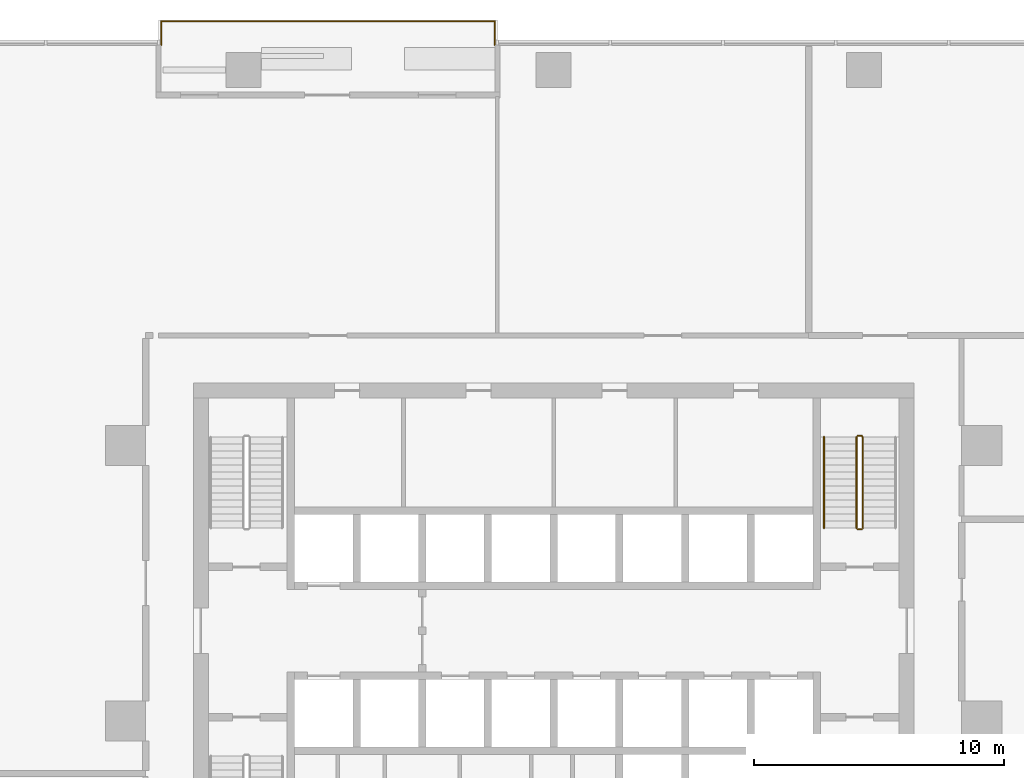
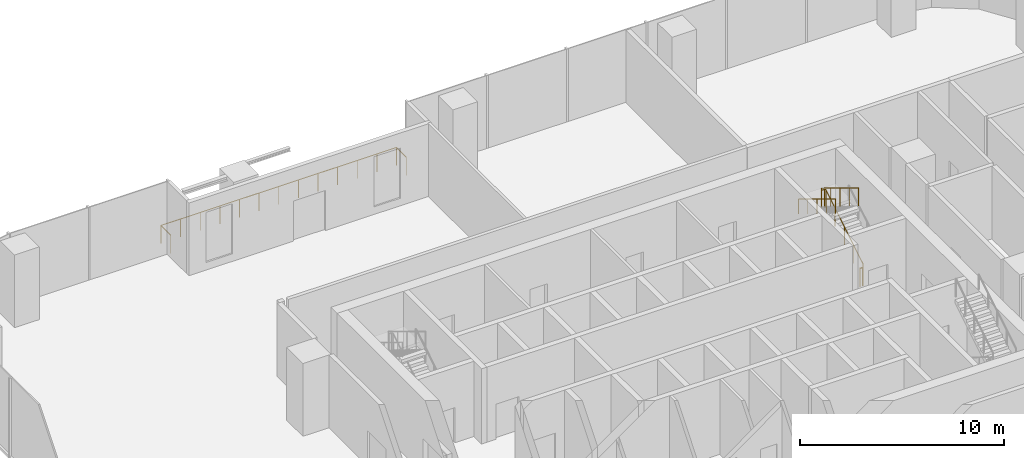
# One storey, part 14 of 15: 5 railings.
"""IFC4 building model written with IfcOpenShell, lengths in metres."""

from ifc_helpers import new_model, si_unit, direction, frame, origin, origin_2d, place, context, subcontext, project, spatial, circle, extrude, material, type_object, element, save


model = new_model("IFC4")

# Units and contexts
model_context = context("Model", 3, precision=1e-05, world=origin(), true_north=direction((0.0, 1.0)))
body_context = subcontext(model_context, "Body", "Model", "MODEL_VIEW")
ifc_project = project(units=[si_unit("LENGTHUNIT", "METRE"), si_unit("AREAUNIT", "SQUARE_METRE"), si_unit("VOLUMEUNIT", "CUBIC_METRE"), si_unit("PLANEANGLEUNIT", "RADIAN"), si_unit("MASSUNIT", "GRAM", prefix="KILO")], contexts=[model_context])

# Site, building, storey
site_placement = place(None, origin())
site = spatial("IfcSite", under=ifc_project, at=site_placement, CompositionType="ELEMENT")
building_placement = place(site_placement, origin())
building = spatial("IfcBuilding", under=site, at=building_placement, Name="Mopane Tessera Tower", CompositionType="ELEMENT")
storey_placement = place(building_placement, frame((0.0, 0.0, 69.39990234375)))
storey = spatial("IfcBuildingStorey", under=building, at=storey_placement, Name="L13", CompositionType="ELEMENT", Elevation=69.39990234375)

# Railings
ifc_material_1 = material(Name="Powder-coated steel balustrade", Category="steel")
railing_type_1 = type_object("IfcRailingType", Name="Escape stair guard 1100 mm", PredefinedType="GUARDRAIL", material=ifc_material_1)
railing_1_placement = place(storey_placement, frame((12.35009765625, 7.699951171875, 0.171630859375)))
element("IfcRailing", 1, at=railing_1_placement, inside=storey, type_object=railing_type_1, Name="L13 ST4 stair guard 1", PredefinedType="GUARDRAIL", context=body_context, shape_type="SweptSolid", body=[
    extrude(circle(Radius=0.02392578125, at=origin_2d()), frame((0.0, 0.0, 1.076171875), z_axis=(0.0, 0.852865859571, 0.52213008492), x_axis=(-1.0, 0.0, 0.0)), (0.0, 0.0, 1.0), 4.26806640625),
    extrude(circle(Radius=0.02392578125, at=origin_2d()), frame((0.0, 3.64013671875, 3.3046875), z_axis=(-0.708833529934, 0.705375805398, 0.0), x_axis=(-0.705375805398, -0.708833529934, 0.0)), (0.0, 0.0, 1.0), 0.070556640625),
    extrude(circle(Radius=0.02392578125, at=origin_2d()), frame((-0.050048828125, 3.68994140625, 3.3046875), z_axis=(-1.0, 0.0, 0.0), x_axis=(0.0, -1.0, 0.0)), (0.0, 0.0, 1.0), 0.150146484375),
    extrude(circle(Radius=0.02099609375, at=origin_2d()), origin(), (0.0, 0.0, 1.0), 1.052001953125),
    extrude(circle(Radius=0.02099609375, at=origin_2d()), frame((0.0, 0.91015625, 0.55712890625)), (0.0, 0.0, 1.0), 1.052001953125),
    extrude(circle(Radius=0.02099609375, at=origin_2d()), frame((0.0, 1.820068359375, 1.1142578125)), (0.0, 0.0, 1.0), 1.052001953125),
    extrude(circle(Radius=0.02099609375, at=origin_2d()), frame((0.0, 2.72998046875, 1.67138671875)), (0.0, 0.0, 1.0), 1.052001953125),
    extrude(circle(Radius=0.02099609375, at=origin_2d()), frame((0.0, 3.64013671875, 2.228515625)), (0.0, 0.0, 1.0), 1.052001953125),
    extrude(circle(Radius=0.02099609375, at=origin_2d()), frame((-0.050048828125, 3.68994140625, 2.228515625)), (0.0, 0.0, 1.0), 1.052001953125),
    extrude(circle(Radius=0.02099609375, at=origin_2d()), frame((-0.2001953125, 3.68994140625, 2.228515625)), (0.0, 0.0, 1.0), 1.052001953125),
])
railing_2_placement = place(storey_placement, frame((12.10009765625, 11.340087890625, 2.571533203125)))
element("IfcRailing", 2, at=railing_2_placement, inside=storey, type_object=railing_type_1, Name="L13 ST4 stair guard 2", PredefinedType="GUARDRAIL", context=body_context, shape_type="SweptSolid", body=[
    extrude(circle(Radius=0.02392578125, at=origin_2d()), frame((0.0, 0.0, 1.076171875), z_axis=(0.0, -0.852865859571, 0.52213008492), x_axis=(1.0, 0.0, 0.0)), (0.0, 0.0, 1.0), 4.26806640625),
    extrude(circle(Radius=0.02099609375, at=origin_2d()), origin(), (0.0, 0.0, 1.0), 1.052001953125),
    extrude(circle(Radius=0.02099609375, at=origin_2d()), frame((0.0, -0.91015625, 0.55712890625)), (0.0, 0.0, 1.0), 1.052001953125),
    extrude(circle(Radius=0.02099609375, at=origin_2d()), frame((0.0, -1.820068359375, 1.1142578125)), (0.0, 0.0, 1.0), 1.052001953125),
    extrude(circle(Radius=0.02099609375, at=origin_2d()), frame((0.0, -2.72998046875, 1.67138671875)), (0.0, 0.0, 1.0), 1.052001953125),
    extrude(circle(Radius=0.02099609375, at=origin_2d()), frame((0.0, -3.64013671875, 2.228515625)), (0.0, 0.0, 1.0), 1.052001953125),
])
railing_3_placement = place(storey_placement, frame((12.300048828125, 7.64990234375, 0.0)))
element("IfcRailing", 3, at=railing_3_placement, inside=storey, type_object=railing_type_1, Name="L13 ST4 stair guard 3", PredefinedType="GUARDRAIL", context=body_context, shape_type="SweptSolid", body=[
    extrude(circle(Radius=0.02392578125, at=origin_2d()), frame((0.0, 0.0, 1.076171875), z_axis=(-1.0, 0.0, 0.0), x_axis=(0.0, -1.0, 0.0)), (0.0, 0.0, 1.0), 0.150146484375),
    extrude(circle(Radius=0.02099609375, at=origin_2d()), origin(), (0.0, 0.0, 1.0), 1.052001953125),
    extrude(circle(Radius=0.02099609375, at=origin_2d()), frame((-0.150146484375, 0.0, 0.0)), (0.0, 0.0, 1.0), 1.052001953125),
])
ifc_material_2 = material(Name="Powder-coated steel balustrade", Category="steel")
railing_type_2 = type_object("IfcRailingType", Name="Escape stair handrail 900 mm", PredefinedType="HANDRAIL", material=ifc_material_2)
railing_4_placement = place(storey_placement, frame((10.800048828125, 11.340087890625, 2.571533203125)))
element("IfcRailing", 4, at=railing_4_placement, inside=storey, type_object=railing_type_2, Name="L13 ST4 stair handrail 2", PredefinedType="HANDRAIL", context=body_context, shape_type="SweptSolid", body=[
    extrude(circle(Radius=0.02392578125, at=origin_2d()), frame((0.0, 0.0, 0.8759765625), z_axis=(0.0, -0.852865859571, 0.52213008492), x_axis=(1.0, 0.0, 0.0)), (0.0, 0.0, 1.0), 4.26806640625),
    extrude(circle(Radius=0.02099609375, at=origin_2d()), origin(), (0.0, 0.0, 1.0), 0.851806640625),
    extrude(circle(Radius=0.02099609375, at=origin_2d()), frame((0.0, -0.91015625, 0.55712890625)), (0.0, 0.0, 1.0), 0.851806640625),
    extrude(circle(Radius=0.02099609375, at=origin_2d()), frame((0.0, -1.820068359375, 1.1142578125)), (0.0, 0.0, 1.0), 0.851806640625),
    extrude(circle(Radius=0.02099609375, at=origin_2d()), frame((0.0, -2.72998046875, 1.67138671875)), (0.0, 0.0, 1.0), 0.851806640625),
    extrude(circle(Radius=0.02099609375, at=origin_2d()), frame((0.0, -3.64013671875, 2.228515625)), (0.0, 0.0, 1.0), 0.851806640625),
])
ifc_material_3 = material(Name="Stainless steel S316", Category="steel")
railing_type_3 = type_object("IfcRailingType", Name="Terrace guard 1100", PredefinedType="GUARDRAIL", material=ifc_material_3)
railing_5_placement = place(storey_placement, frame((-2.3544921875, 27.0, 0.0)))
element("IfcRailing", 5, at=railing_5_placement, inside=storey, type_object=railing_type_3, Name="e:nw:L13:N2:guard", PredefinedType="GUARDRAIL", context=body_context, shape_type="SweptSolid", body=[
    extrude(circle(Radius=0.02392578125, at=origin_2d()), frame((0.0, 0.0, 1.076171875), z_axis=(0.0, 1.0, 0.0), x_axis=(-1.0, 0.0, 0.0)), (0.0, 0.0, 1.0), 0.949951171875),
    extrude(circle(Radius=0.02392578125, at=origin_2d()), frame((0.0, 0.949951171875, 1.076171875), z_axis=(-1.0, 0.0, 0.0), x_axis=(0.0, -1.0, 0.0)), (0.0, 0.0, 1.0), 13.327392578125),
    extrude(circle(Radius=0.02392578125, at=origin_2d()), frame((-13.327392578125, 0.949951171875, 1.076171875), z_axis=(0.0, -1.0, 0.0), x_axis=(1.0, 0.0, 0.0)), (0.0, 0.0, 1.0), 0.949951171875),
    extrude(circle(Radius=0.02099609375, at=origin_2d()), origin(), (0.0, 0.0, 1.0), 1.052001953125),
    extrude(circle(Radius=0.02099609375, at=origin_2d()), frame((0.0, 0.949951171875, 0.0)), (0.0, 0.0, 1.0), 1.052001953125),
    extrude(circle(Radius=0.02099609375, at=origin_2d()), frame((-1.110595703125, 0.949951171875, 0.0)), (0.0, 0.0, 1.0), 1.052001953125),
    extrude(circle(Radius=0.02099609375, at=origin_2d()), frame((-2.22119140625, 0.949951171875, 0.0)), (0.0, 0.0, 1.0), 1.052001953125),
    extrude(circle(Radius=0.02099609375, at=origin_2d()), frame((-3.331787109375, 0.949951171875, 0.0)), (0.0, 0.0, 1.0), 1.052001953125),
    extrude(circle(Radius=0.02099609375, at=origin_2d()), frame((-4.4423828125, 0.949951171875, 0.0)), (0.0, 0.0, 1.0), 1.052001953125),
    extrude(circle(Radius=0.02099609375, at=origin_2d()), frame((-5.552978515625, 0.949951171875, 0.0)), (0.0, 0.0, 1.0), 1.052001953125),
    extrude(circle(Radius=0.02099609375, at=origin_2d()), frame((-6.66357421875, 0.949951171875, 0.0)), (0.0, 0.0, 1.0), 1.052001953125),
    extrude(circle(Radius=0.02099609375, at=origin_2d()), frame((-7.7744140625, 0.949951171875, 0.0)), (0.0, 0.0, 1.0), 1.052001953125),
    extrude(circle(Radius=0.02099609375, at=origin_2d()), frame((-8.885009765625, 0.949951171875, 0.0)), (0.0, 0.0, 1.0), 1.052001953125),
    extrude(circle(Radius=0.02099609375, at=origin_2d()), frame((-9.99560546875, 0.949951171875, 0.0)), (0.0, 0.0, 1.0), 1.052001953125),
    extrude(circle(Radius=0.02099609375, at=origin_2d()), frame((-11.106201171875, 0.949951171875, 0.0)), (0.0, 0.0, 1.0), 1.052001953125),
    extrude(circle(Radius=0.02099609375, at=origin_2d()), frame((-12.216796875, 0.949951171875, 0.0)), (0.0, 0.0, 1.0), 1.052001953125),
    extrude(circle(Radius=0.02099609375, at=origin_2d()), frame((-13.327392578125, 0.949951171875, 0.0)), (0.0, 0.0, 1.0), 1.052001953125),
    extrude(circle(Radius=0.02099609375, at=origin_2d()), frame((-13.327392578125, 0.0, 0.0)), (0.0, 0.0, 1.0), 1.052001953125),
])

save(model, "model.ifc")
